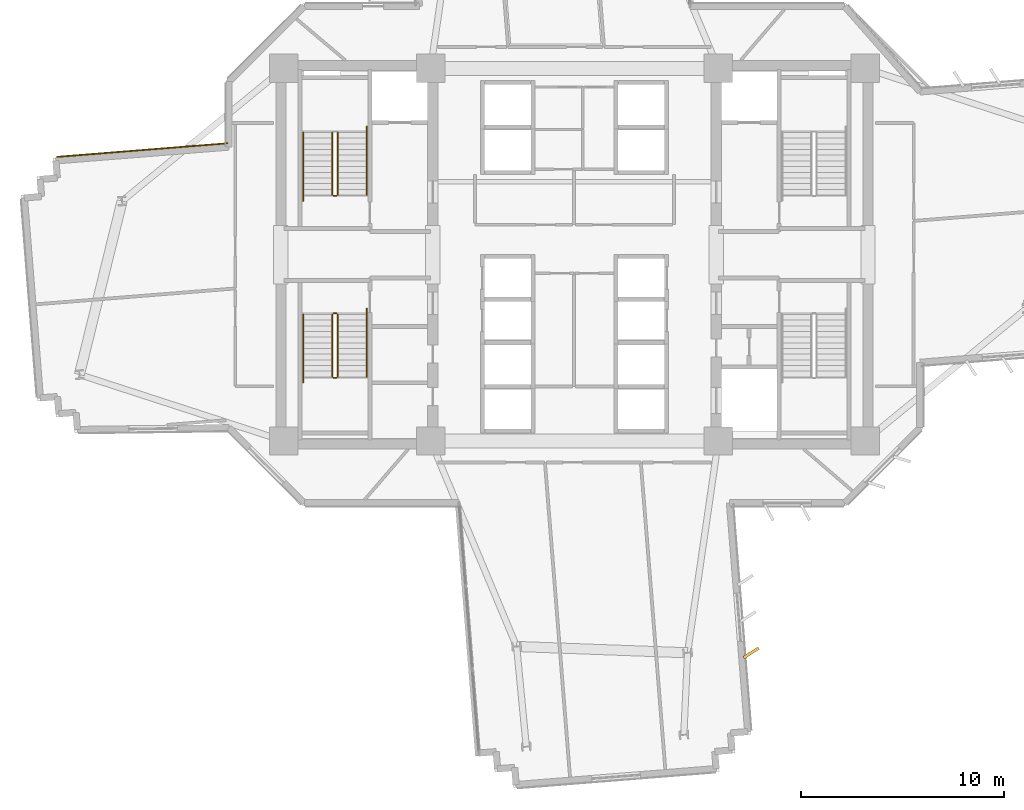
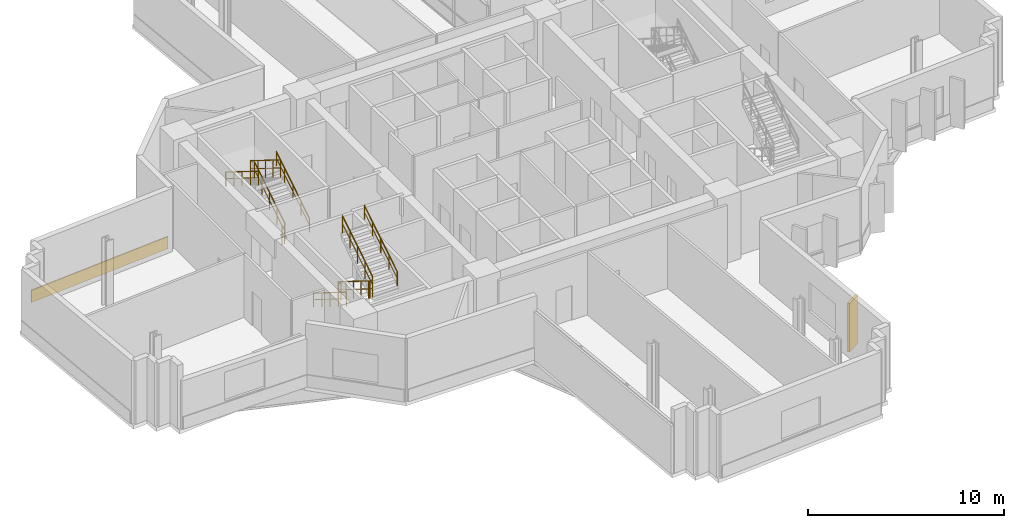
# One storey, part 12 of 15: 11 railings, 2 coverings.
"""IFC4 building model written with IfcOpenShell, lengths in metres."""

from ifc_helpers import new_model, si_unit, direction, frame, origin, origin_2d, place, context, subcontext, project, spatial, rectangle, extrude, source, transform, mapped, material, layer, layer_set, type_object, element, save


model = new_model("IFC4")

# Units and contexts
model_context = context("Model", 3, precision=1e-05, world=origin(), true_north=direction((0.0, 1.0)))
body_context = subcontext(model_context, "Body", "Model", "MODEL_VIEW")
ifc_project = project(units=[si_unit("LENGTHUNIT", "METRE"), si_unit("AREAUNIT", "SQUARE_METRE"), si_unit("VOLUMEUNIT", "CUBIC_METRE"), si_unit("PLANEANGLEUNIT", "RADIAN"), si_unit("MASSUNIT", "GRAM", prefix="KILO")], contexts=[model_context])

# Site, building, storey
site_placement = place(None, origin())
site = spatial("IfcSite", under=ifc_project, at=site_placement, CompositionType="ELEMENT")
building_placement = place(site_placement, origin())
building = spatial("IfcBuilding", under=site, at=building_placement, Name="Zahravan Cultural Tower", CompositionType="ELEMENT")
storey_placement = place(building_placement, frame((0.0, 0.0, 79.5)))
storey = spatial("IfcBuildingStorey", under=building, at=storey_placement, Name="L17", CompositionType="ELEMENT", Elevation=79.5)

# Railings
ifc_material_1 = material(Name="Steel ASTM A572 Grade 50", Category="steel")
railing_type_1 = type_object("IfcRailingType", Name="RL-STAIR-GRD1150", PredefinedType="BALUSTRADE", material=ifc_material_1)
railing_1_placement = place(storey_placement, frame((24.300048828125, 29.949951171875, 0.175048828125)))
element("IfcRailing", 1, at=railing_1_placement, inside=storey, type_object=railing_type_1, Name="L17 ST-W1 stair guard 1", PredefinedType="BALUSTRADE", context=body_context, shape_type="SweptSolid", body=[
    extrude(rectangle(XDim=0.05, YDim=0.05, at=origin_2d()), frame((0.0, 0.0, 1.0751953125), z_axis=(0.0, 0.847998304005, 0.529998940003), x_axis=(-1.0, 0.0, 0.0)), (0.0, 0.0, 1.0), 3.632080078125),
    extrude(rectangle(XDim=0.032, YDim=0.032, at=origin_2d()), frame((0.0, 0.0, 0.572021484375), z_axis=(0.0, 0.847998304005, 0.529998940003), x_axis=(-1.0, 0.0, 0.0)), (0.0, 0.0, 1.0), 3.632080078125),
    extrude(rectangle(XDim=0.04, YDim=0.04, at=origin_2d()), origin(), (0.0, 0.0, 1.0), 1.10009765625),
    extrude(rectangle(XDim=0.04, YDim=0.04, at=origin_2d()), frame((0.0, 0.77001953125, 0.481201171875)), (0.0, 0.0, 1.0), 1.10009765625),
    extrude(rectangle(XDim=0.04, YDim=0.04, at=origin_2d()), frame((0.0, 1.5400390625, 0.96240234375)), (0.0, 0.0, 1.0), 1.10009765625),
    extrude(rectangle(XDim=0.04, YDim=0.04, at=origin_2d()), frame((0.0, 2.31005859375, 1.44384765625)), (0.0, 0.0, 1.0), 1.10009765625),
    extrude(rectangle(XDim=0.04, YDim=0.04, at=origin_2d()), frame((0.0, 3.080078125, 1.925048828125)), (0.0, 0.0, 1.0), 1.10009765625),
])
railing_2_placement = place(storey_placement, frame((24.050048828125, 33.030029296875, 2.27490234375)))
element("IfcRailing", 2, at=railing_2_placement, inside=storey, type_object=railing_type_1, Name="L17 ST-W1 stair guard 3", PredefinedType="BALUSTRADE", context=body_context, shape_type="SweptSolid", body=[
    extrude(rectangle(XDim=0.05, YDim=0.05, at=origin_2d()), frame((0.0, 0.0, 1.0751953125), z_axis=(0.0, -0.847998304005, 0.529998940003), x_axis=(1.0, 0.0, 0.0)), (0.0, 0.0, 1.0), 3.632080078125),
    extrude(rectangle(XDim=0.032, YDim=0.032, at=origin_2d()), frame((0.0, 0.0, 0.572021484375), z_axis=(0.0, -0.847998304005, 0.529998940003), x_axis=(1.0, 0.0, 0.0)), (0.0, 0.0, 1.0), 3.632080078125),
    extrude(rectangle(XDim=0.04, YDim=0.04, at=origin_2d()), origin(), (0.0, 0.0, 1.0), 1.10009765625),
    extrude(rectangle(XDim=0.04, YDim=0.04, at=origin_2d()), frame((0.0, -0.77001953125, 0.481201171875)), (0.0, 0.0, 1.0), 1.10009765625),
    extrude(rectangle(XDim=0.04, YDim=0.04, at=origin_2d()), frame((0.0, -1.5400390625, 0.96240234375)), (0.0, 0.0, 1.0), 1.10009765625),
    extrude(rectangle(XDim=0.04, YDim=0.04, at=origin_2d()), frame((0.0, -2.31005859375, 1.44384765625)), (0.0, 0.0, 1.0), 1.10009765625),
    extrude(rectangle(XDim=0.04, YDim=0.04, at=origin_2d()), frame((0.0, -3.080078125, 1.925048828125)), (0.0, 0.0, 1.0), 1.10009765625),
])
railing_3_placement = place(storey_placement, frame((24.25, 29.89990234375, 0.0)))
element("IfcRailing", 3, at=railing_3_placement, inside=storey, type_object=railing_type_1, Name="L17 ST-W1 stair guard 4", PredefinedType="BALUSTRADE", context=body_context, shape_type="SweptSolid", body=[
    extrude(rectangle(XDim=0.05, YDim=0.05, at=origin_2d()), frame((0.0, 0.0, 1.0751953125), z_axis=(-1.0, 0.0, 0.0), x_axis=(0.0, -1.0, 0.0)), (0.0, 0.0, 1.0), 0.14990234375),
    extrude(rectangle(XDim=0.032, YDim=0.032, at=origin_2d()), frame((0.0, 0.0, 0.572021484375), z_axis=(-1.0, 0.0, 0.0), x_axis=(0.0, -1.0, 0.0)), (0.0, 0.0, 1.0), 0.14990234375),
    extrude(rectangle(XDim=0.04, YDim=0.04, at=origin_2d()), origin(), (0.0, 0.0, 1.0), 1.10009765625),
    extrude(rectangle(XDim=0.04, YDim=0.04, at=origin_2d()), frame((-0.14990234375, 0.0, 0.0)), (0.0, 0.0, 1.0), 1.10009765625),
])
railing_4_placement = place(storey_placement, frame((24.050048828125, 24.050048828125, 0.175048828125)))
element("IfcRailing", 4, at=railing_4_placement, inside=storey, type_object=railing_type_1, Name="L17 ST-W2 stair guard 1", PredefinedType="BALUSTRADE", context=body_context, shape_type="SweptSolid", body=[
    extrude(rectangle(XDim=0.05, YDim=0.05, at=origin_2d()), frame((0.0, 0.0, 1.0751953125), z_axis=(0.0, -0.847998304005, 0.529998940003), x_axis=(1.0, 0.0, 0.0)), (0.0, 0.0, 1.0), 3.632080078125),
    extrude(rectangle(XDim=0.032, YDim=0.032, at=origin_2d()), frame((0.0, 0.0, 0.572021484375), z_axis=(0.0, -0.847998304005, 0.529998940003), x_axis=(1.0, 0.0, 0.0)), (0.0, 0.0, 1.0), 3.632080078125),
    extrude(rectangle(XDim=0.04, YDim=0.04, at=origin_2d()), origin(), (0.0, 0.0, 1.0), 1.10009765625),
    extrude(rectangle(XDim=0.04, YDim=0.04, at=origin_2d()), frame((0.0, -0.77001953125, 0.481201171875)), (0.0, 0.0, 1.0), 1.10009765625),
    extrude(rectangle(XDim=0.04, YDim=0.04, at=origin_2d()), frame((0.0, -1.5400390625, 0.96240234375)), (0.0, 0.0, 1.0), 1.10009765625),
    extrude(rectangle(XDim=0.04, YDim=0.04, at=origin_2d()), frame((0.0, -2.31005859375, 1.44384765625)), (0.0, 0.0, 1.0), 1.10009765625),
    extrude(rectangle(XDim=0.04, YDim=0.04, at=origin_2d()), frame((0.0, -3.080078125, 1.925048828125)), (0.0, 0.0, 1.0), 1.10009765625),
])
railing_5_placement = place(storey_placement, frame((24.10009765625, 20.919921875, 2.10009765625)))
element("IfcRailing", 5, at=railing_5_placement, inside=storey, type_object=railing_type_1, Name="L17 ST-W2 stair guard 2", PredefinedType="BALUSTRADE", context=body_context, shape_type="SweptSolid", body=[
    extrude(rectangle(XDim=0.05, YDim=0.05, at=origin_2d()), frame((0.0, 0.0, 1.0751953125), z_axis=(1.0, 0.0, 0.0), x_axis=(0.0, 1.0, 0.0)), (0.0, 0.0, 1.0), 0.14990234375),
    extrude(rectangle(XDim=0.032, YDim=0.032, at=origin_2d()), frame((0.0, 0.0, 0.572021484375), z_axis=(1.0, 0.0, 0.0), x_axis=(0.0, 1.0, 0.0)), (0.0, 0.0, 1.0), 0.14990234375),
    extrude(rectangle(XDim=0.04, YDim=0.04, at=origin_2d()), origin(), (0.0, 0.0, 1.0), 1.10009765625),
    extrude(rectangle(XDim=0.04, YDim=0.04, at=origin_2d()), frame((0.14990234375, 0.0, 0.0)), (0.0, 0.0, 1.0), 1.10009765625),
])
railing_6_placement = place(storey_placement, frame((24.300048828125, 20.969970703125, 2.27490234375)))
element("IfcRailing", 6, at=railing_6_placement, inside=storey, type_object=railing_type_1, Name="L17 ST-W2 stair guard 3", PredefinedType="BALUSTRADE", context=body_context, shape_type="SweptSolid", body=[
    extrude(rectangle(XDim=0.05, YDim=0.05, at=origin_2d()), frame((0.0, 0.0, 1.0751953125), z_axis=(0.0, 0.847998304005, 0.529998940003), x_axis=(-1.0, 0.0, 0.0)), (0.0, 0.0, 1.0), 3.632080078125),
    extrude(rectangle(XDim=0.032, YDim=0.032, at=origin_2d()), frame((0.0, 0.0, 0.572021484375), z_axis=(0.0, 0.847998304005, 0.529998940003), x_axis=(-1.0, 0.0, 0.0)), (0.0, 0.0, 1.0), 3.632080078125),
    extrude(rectangle(XDim=0.04, YDim=0.04, at=origin_2d()), origin(), (0.0, 0.0, 1.0), 1.10009765625),
    extrude(rectangle(XDim=0.04, YDim=0.04, at=origin_2d()), frame((0.0, 0.77001953125, 0.481201171875)), (0.0, 0.0, 1.0), 1.10009765625),
    extrude(rectangle(XDim=0.04, YDim=0.04, at=origin_2d()), frame((0.0, 1.5400390625, 0.96240234375)), (0.0, 0.0, 1.0), 1.10009765625),
    extrude(rectangle(XDim=0.04, YDim=0.04, at=origin_2d()), frame((0.0, 2.31005859375, 1.44384765625)), (0.0, 0.0, 1.0), 1.10009765625),
    extrude(rectangle(XDim=0.04, YDim=0.04, at=origin_2d()), frame((0.0, 3.080078125, 1.925048828125)), (0.0, 0.0, 1.0), 1.10009765625),
])
railing_7_placement = place(storey_placement, frame((24.10009765625, 24.10009765625, 0.0)))
element("IfcRailing", 7, at=railing_7_placement, inside=storey, type_object=railing_type_1, Name="L17 ST-W2 stair guard 4", PredefinedType="BALUSTRADE", context=body_context, shape_type="SweptSolid", body=[
    extrude(rectangle(XDim=0.05, YDim=0.05, at=origin_2d()), frame((0.0, 0.0, 1.0751953125), z_axis=(1.0, 0.0, 0.0), x_axis=(0.0, 1.0, 0.0)), (0.0, 0.0, 1.0), 0.14990234375),
    extrude(rectangle(XDim=0.032, YDim=0.032, at=origin_2d()), frame((0.0, 0.0, 0.572021484375), z_axis=(1.0, 0.0, 0.0), x_axis=(0.0, 1.0, 0.0)), (0.0, 0.0, 1.0), 0.14990234375),
    extrude(rectangle(XDim=0.04, YDim=0.04, at=origin_2d()), origin(), (0.0, 0.0, 1.0), 1.10009765625),
    extrude(rectangle(XDim=0.04, YDim=0.04, at=origin_2d()), frame((0.14990234375, 0.0, 0.0)), (0.0, 0.0, 1.0), 1.10009765625),
])
railing_type_2 = type_object("IfcRailingType", Name="RL-STAIR-HR900", PredefinedType="HANDRAIL", material=ifc_material_1)
railing_8_placement = place(storey_placement, frame((25.75, 29.949951171875, 0.175048828125)))
element("IfcRailing", 8, at=railing_8_placement, inside=storey, type_object=railing_type_2, Name="L17 ST-W1 stair handrail 1", PredefinedType="HANDRAIL", context=body_context, shape_type="SweptSolid", body=[
    extrude(rectangle(XDim=0.05, YDim=0.05, at=origin_2d()), frame((0.0, 0.0, 0.875), z_axis=(0.0, 0.848022534174, 0.529960169762), x_axis=(-1.0, 0.0, 0.0)), (0.0, 0.0, 1.0), 3.96240234375),
    extrude(rectangle(XDim=0.032, YDim=0.032, at=origin_2d()), frame((0.0, 0.0, 0.468017578125), z_axis=(0.0, 0.848022534174, 0.529960169762), x_axis=(-1.0, 0.0, 0.0)), (0.0, 0.0, 1.0), 3.96240234375),
    extrude(rectangle(XDim=0.04, YDim=0.04, at=origin_2d()), origin(), (0.0, 0.0, 1.0), 0.89990234375),
    extrude(rectangle(XDim=0.04, YDim=0.04, at=origin_2d()), frame((0.0, 0.840087890625, 0.52490234375)), (0.0, 0.0, 1.0), 0.89990234375),
    extrude(rectangle(XDim=0.04, YDim=0.04, at=origin_2d()), frame((0.0, 1.68017578125, 1.0498046875)), (0.0, 0.0, 1.0), 0.89990234375),
    extrude(rectangle(XDim=0.04, YDim=0.04, at=origin_2d()), frame((0.0, 2.52001953125, 1.574951171875)), (0.0, 0.0, 1.0), 0.89990234375),
    extrude(rectangle(XDim=0.04, YDim=0.04, at=origin_2d()), frame((0.0, 3.360107421875, 2.099853515625)), (0.0, 0.0, 1.0), 0.89990234375),
])
railing_9_placement = place(storey_placement, frame((22.60009765625, 33.030029296875, 2.27490234375)))
element("IfcRailing", 9, at=railing_9_placement, inside=storey, type_object=railing_type_2, Name="L17 ST-W1 stair handrail 2", PredefinedType="HANDRAIL", context=body_context, shape_type="SweptSolid", body=[
    extrude(rectangle(XDim=0.05, YDim=0.05, at=origin_2d()), frame((0.0, 0.0, 0.875), z_axis=(0.0, -0.847994842521, 0.530004478338), x_axis=(1.0, 0.0, 0.0)), (0.0, 0.0, 1.0), 3.96240234375),
    extrude(rectangle(XDim=0.032, YDim=0.032, at=origin_2d()), frame((0.0, 0.0, 0.468017578125), z_axis=(0.0, -0.847994842521, 0.530004478338), x_axis=(1.0, 0.0, 0.0)), (0.0, 0.0, 1.0), 3.96240234375),
    extrude(rectangle(XDim=0.04, YDim=0.04, at=origin_2d()), origin(), (0.0, 0.0, 1.0), 0.89990234375),
    extrude(rectangle(XDim=0.04, YDim=0.04, at=origin_2d()), frame((0.0, -0.840087890625, 0.52490234375)), (0.0, 0.0, 1.0), 0.89990234375),
    extrude(rectangle(XDim=0.04, YDim=0.04, at=origin_2d()), frame((0.0, -1.68017578125, 1.050048828125)), (0.0, 0.0, 1.0), 0.89990234375),
    extrude(rectangle(XDim=0.04, YDim=0.04, at=origin_2d()), frame((0.0, -2.52001953125, 1.5751953125)), (0.0, 0.0, 1.0), 0.89990234375),
    extrude(rectangle(XDim=0.04, YDim=0.04, at=origin_2d()), frame((0.0, -3.360107421875, 2.10009765625)), (0.0, 0.0, 1.0), 0.89990234375),
])
railing_10_placement = place(storey_placement, frame((22.60009765625, 24.050048828125, 0.175048828125)))
element("IfcRailing", 10, at=railing_10_placement, inside=storey, type_object=railing_type_2, Name="L17 ST-W2 stair handrail 1", PredefinedType="HANDRAIL", context=body_context, shape_type="SweptSolid", body=[
    extrude(rectangle(XDim=0.05, YDim=0.05, at=origin_2d()), frame((0.0, 0.0, 0.875), z_axis=(0.0, -0.848022534174, 0.529960169762), x_axis=(1.0, 0.0, 0.0)), (0.0, 0.0, 1.0), 3.96240234375),
    extrude(rectangle(XDim=0.032, YDim=0.032, at=origin_2d()), frame((0.0, 0.0, 0.468017578125), z_axis=(0.0, -0.848022534174, 0.529960169762), x_axis=(1.0, 0.0, 0.0)), (0.0, 0.0, 1.0), 3.96240234375),
    extrude(rectangle(XDim=0.04, YDim=0.04, at=origin_2d()), origin(), (0.0, 0.0, 1.0), 0.89990234375),
    extrude(rectangle(XDim=0.04, YDim=0.04, at=origin_2d()), frame((0.0, -0.840087890625, 0.52490234375)), (0.0, 0.0, 1.0), 0.89990234375),
    extrude(rectangle(XDim=0.04, YDim=0.04, at=origin_2d()), frame((0.0, -1.68017578125, 1.0498046875)), (0.0, 0.0, 1.0), 0.89990234375),
    extrude(rectangle(XDim=0.04, YDim=0.04, at=origin_2d()), frame((0.0, -2.52001953125, 1.574951171875)), (0.0, 0.0, 1.0), 0.89990234375),
    extrude(rectangle(XDim=0.04, YDim=0.04, at=origin_2d()), frame((0.0, -3.360107421875, 2.099853515625)), (0.0, 0.0, 1.0), 0.89990234375),
])
railing_11_placement = place(storey_placement, frame((25.75, 20.969970703125, 2.27490234375)))
element("IfcRailing", 11, at=railing_11_placement, inside=storey, type_object=railing_type_2, Name="L17 ST-W2 stair handrail 2", PredefinedType="HANDRAIL", context=body_context, shape_type="SweptSolid", body=[
    extrude(rectangle(XDim=0.05, YDim=0.05, at=origin_2d()), frame((0.0, 0.0, 0.875), z_axis=(0.0, 0.847994842521, 0.530004478338), x_axis=(-1.0, 0.0, 0.0)), (0.0, 0.0, 1.0), 3.96240234375),
    extrude(rectangle(XDim=0.032, YDim=0.032, at=origin_2d()), frame((0.0, 0.0, 0.468017578125), z_axis=(0.0, 0.847994842521, 0.530004478338), x_axis=(-1.0, 0.0, 0.0)), (0.0, 0.0, 1.0), 3.96240234375),
    extrude(rectangle(XDim=0.04, YDim=0.04, at=origin_2d()), origin(), (0.0, 0.0, 1.0), 0.89990234375),
    extrude(rectangle(XDim=0.04, YDim=0.04, at=origin_2d()), frame((0.0, 0.840087890625, 0.52490234375)), (0.0, 0.0, 1.0), 0.89990234375),
    extrude(rectangle(XDim=0.04, YDim=0.04, at=origin_2d()), frame((0.0, 1.68017578125, 1.050048828125)), (0.0, 0.0, 1.0), 0.89990234375),
    extrude(rectangle(XDim=0.04, YDim=0.04, at=origin_2d()), frame((0.0, 2.52001953125, 1.5751953125)), (0.0, 0.0, 1.0), 0.89990234375),
    extrude(rectangle(XDim=0.04, YDim=0.04, at=origin_2d()), frame((0.0, 3.360107421875, 2.10009765625)), (0.0, 0.0, 1.0), 0.89990234375),
])

# Coverings
ifc_material_2 = material(Name="Terracotta ceramic cladding", Category="masonry")
ifc_layer = layer(ifc_material_2, 0.06005859375)
ifc_layer_set = layer_set([ifc_layer], Name="Terracotta ceramic cladding")
covering_type = type_object("IfcCoveringType", Name="COV-CLAD-TC60", PredefinedType="CLADDING", material=ifc_layer_set)
shared_shape_1 = source(origin(), body_context, "Body", "SweptSolid", [
    extrude(rectangle(XDim=0.8798828125, YDim=0.139892578125, at=origin_2d()), origin(), (0.0, 0.0, 1.0), 3.030029296875),
])
covering_1_placement = place(storey_placement, frame((44.720947265625, 7.3359375, 0.0498046875), z_axis=(0.0, 0.0, 1.0), x_axis=(0.842828324641, 0.538182511035, 0.0)))
element("IfcCovering", 12, at=covering_1_placement, inside=storey, type_object=covering_type, Name="L17 Herringbone Terracotta Fin 16", PredefinedType="CLADDING", context=body_context, shape_type="MappedRepresentation", body=[
    mapped(shared_shape_1, transform((0.0, 0.0, 0.0), x_axis=(1.0, 0.0, 0.0), y_axis=(0.0, 1.0, 0.0), z_axis=(0.0, 0.0, 1.0), scale=1.0)),
])
shared_shape_2 = source(origin(), body_context, "Body", "SweptSolid", [
    extrude(rectangle(XDim=8.476806640625, YDim=0.06005859375, at=origin_2d()), origin(), (0.0, 0.0, 1.0), 0.760009765625),
])
covering_2_placement = place(storey_placement, frame((14.650390625, 32.1640625, 0.02001953125), z_axis=(0.0, 0.0, 1.0), x_axis=(0.996834624954, 0.079503021908, 0.0)))
element("IfcCovering", 13, at=covering_2_placement, inside=storey, type_object=covering_type, Name="L17 Terracotta Spandrel Cladding 37", PredefinedType="CLADDING", context=body_context, shape_type="MappedRepresentation", body=[
    mapped(shared_shape_2, transform((0.0, 0.0, 0.0), x_axis=(1.0, 0.0, 0.0), y_axis=(0.0, 1.0, 0.0), z_axis=(0.0, 0.0, 1.0), scale=1.0)),
])

save(model, "model.ifc")
